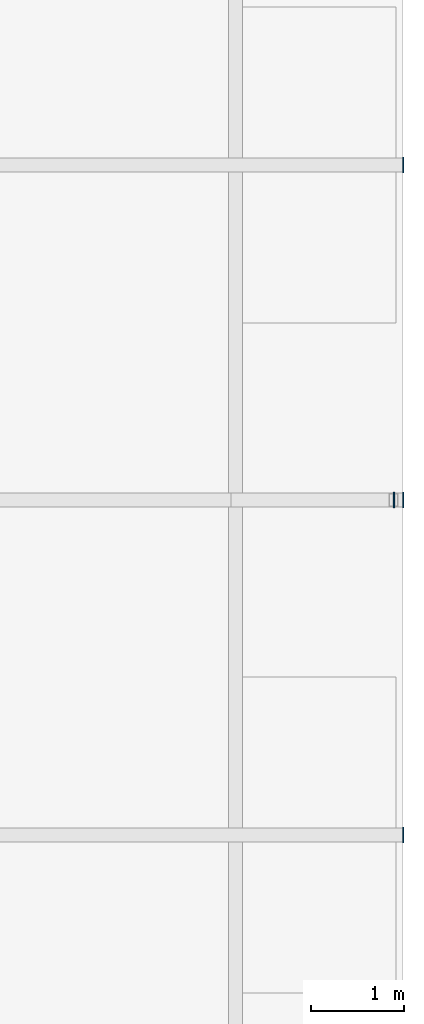
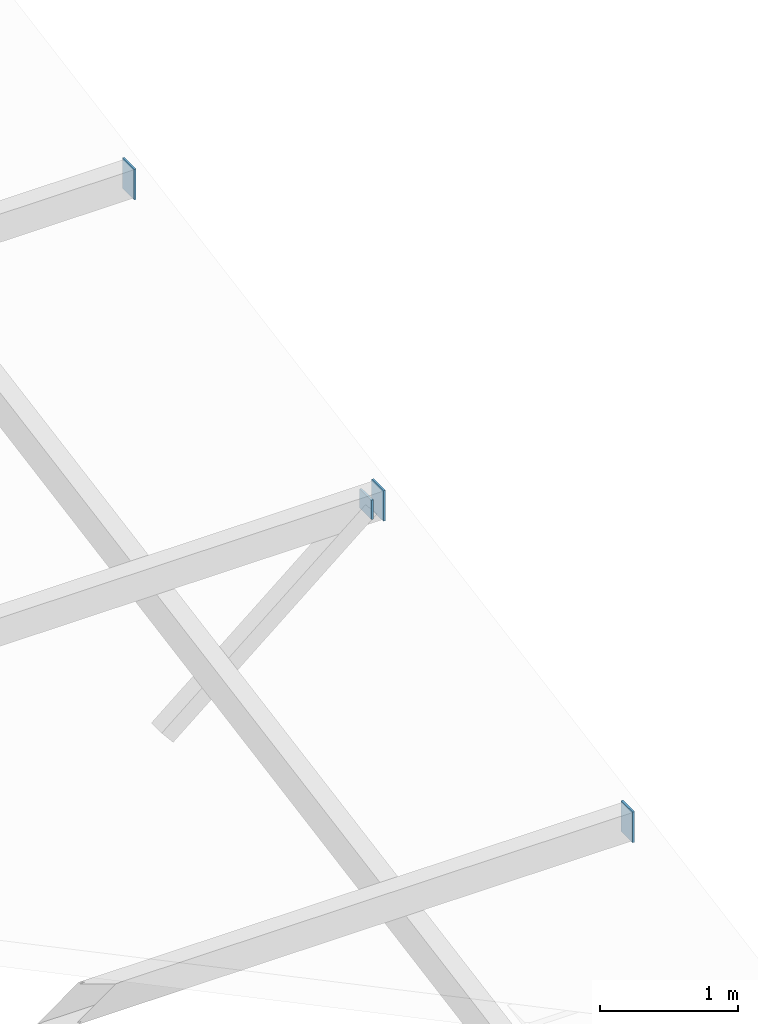
# One storey, part 59 of 63: 4 plates.
"""IFC4 building model written with IfcOpenShell, lengths in metres."""

from ifc_helpers import new_model, si_unit, direction, frame, origin, origin_2d, place, context, subcontext, project, spatial, rectangle, extrude, material, layer, layer_set, type_object, element, save


model = new_model("IFC4")

# Units and contexts
model_context = context("Model", 3, precision=1e-05, world=origin(), true_north=direction((0.0, 1.0)))
body_context = subcontext(model_context, "Body", "Model", "MODEL_VIEW")
ifc_project = project(units=[si_unit("LENGTHUNIT", "METRE"), si_unit("AREAUNIT", "SQUARE_METRE"), si_unit("VOLUMEUNIT", "CUBIC_METRE"), si_unit("PLANEANGLEUNIT", "RADIAN"), si_unit("MASSUNIT", "GRAM", prefix="KILO")], contexts=[model_context])

# Site, building, storey
site_placement = place(None, origin())
site = spatial("IfcSite", under=ifc_project, at=site_placement, CompositionType="ELEMENT")
building_placement = place(site_placement, origin())
building = spatial("IfcBuilding", under=site, at=building_placement, Name="Solvadek Multi-Sports Hall", CompositionType="ELEMENT")
storey_placement = place(building_placement, frame((0.0, 0.0, 19.199951171875)))
storey = spatial("IfcBuildingStorey", under=building, at=storey_placement, Name="RF", CompositionType="ELEMENT", Elevation=19.199951171875)

# Plates
ifc_material = material(Name="Steel E350 (350 MPa)", Category="steel")
ifc_layer = layer(ifc_material, 0.01611328125, Name="Steel E350 (350 MPa)")
ifc_layer_set = layer_set([ifc_layer], Name="Steel E350 (350 MPa)")
plate_type = type_object("IfcPlateType", Name="STR-PLT-CAP16", PredefinedType="USERDEFINED", material=ifc_layer_set)
plate_placement = place(storey_placement, frame((163.10400390625, 49.199951171875, 0.3349609375), z_axis=(0.0, 0.0, 1.0), x_axis=(1.0, 0.0, 0.0)))
element("IfcPlate", 1, at=plate_placement, inside=storey, type_object=plate_type, Name="V2 Eave Strut End Cap Plate #99", ObjectType="BASE_PLATE", PredefinedType="USERDEFINED", context=body_context, shape_type="SweptSolid", body=[
    extrude(rectangle(XDim=0.01611328125, YDim=0.169921875, at=origin_2d()), origin(), (0.0, 0.0, 1.0), 0.169921875),
])
for number, where, z_axis, x_axis, name in (
    (2, (163.2041015625, 45.60009765625, -0.365234375), (0.0, 0.0, 1.0), (1.0, 0.0, 0.0), "V2 Purlin End Cap Plate #100"),
    (3, (163.2041015625, 49.199951171875, 0.284912109375), (0.0, 0.0, 1.0), (1.0, 0.0, 0.0), "V2 Purlin End Cap Plate #101"),
    (4, (163.2041015625, 52.800048828125, 0.934814453125), (0.0, 0.0, 1.0), (1.0, 0.0, 0.0), "V2 Purlin End Cap Plate #102"),
):
    element("IfcPlate", number, at=place(storey_placement, frame(where, z_axis=z_axis, x_axis=x_axis)), inside=storey, type_object=plate_type, Name=name, ObjectType="BASE_PLATE", PredefinedType="USERDEFINED", context=body_context, shape_type="SweptSolid", body=[
        extrude(rectangle(XDim=0.01611328125, YDim=0.169921875, at=origin_2d()), origin(), (0.0, 0.0, 1.0), 0.27001953125),
    ])

save(model, "model.ifc")
